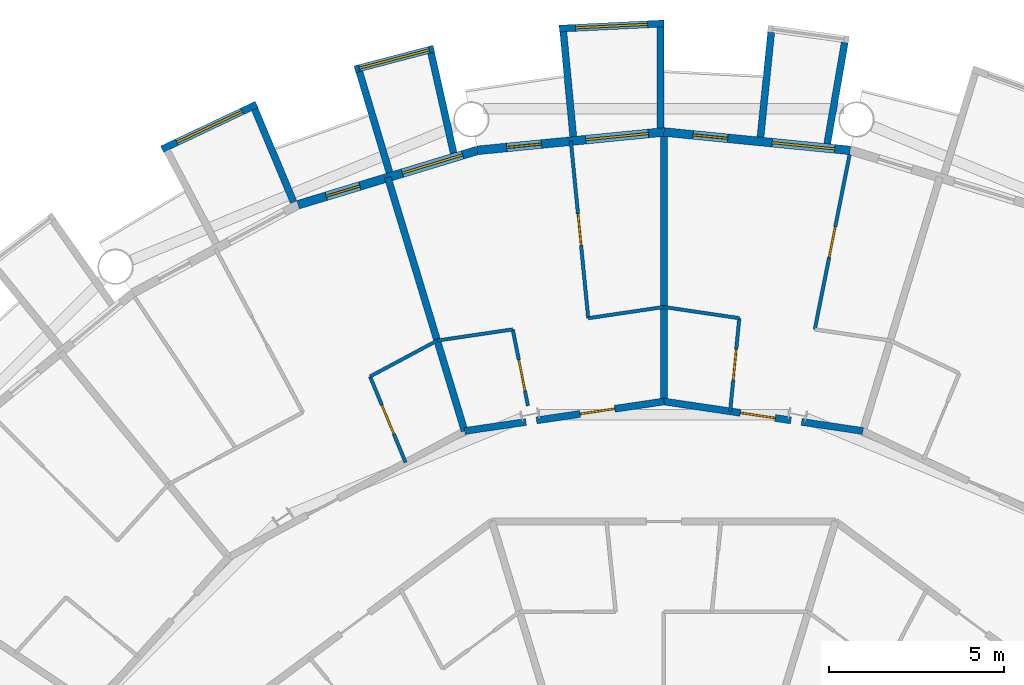
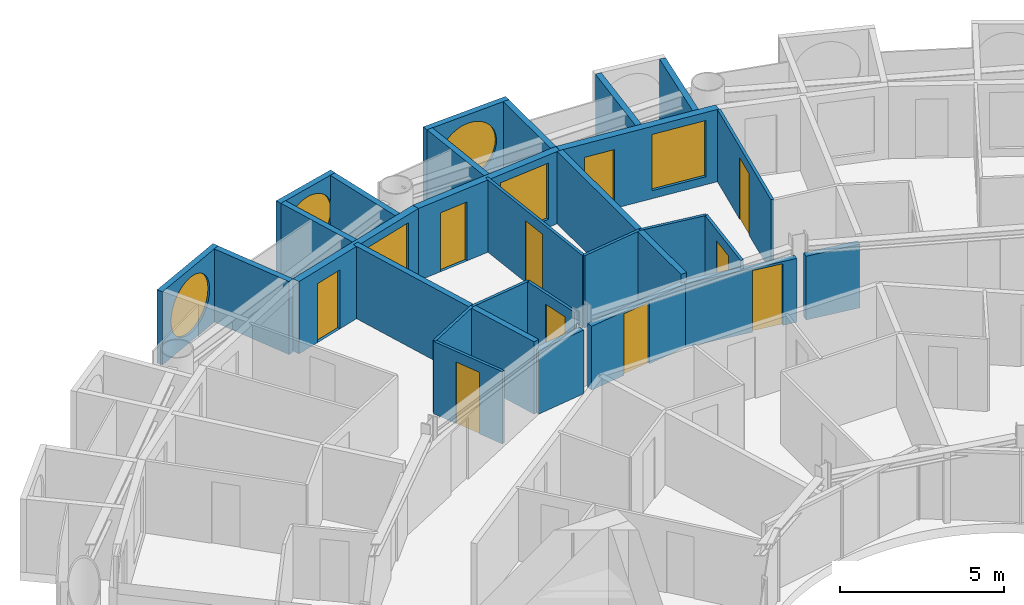
# One storey, part 20 of 26: 28 walls, 10 doors, 6 windows, 16 openings.
"""IFC4 building model written with IfcOpenShell, lengths in metres."""

from ifc_helpers import new_model, si_unit, direction, frame, frame_2d, origin, place, context, subcontext, project, spatial, rectangle, circle, extrude, material, layer, layer_set, type_object, element, fill, save


model = new_model("IFC4")

# Units and contexts
model_context = context("Model", 3, precision=1e-05, world=origin(), true_north=direction((0.0, 1.0)))
body_context = subcontext(model_context, "Body", "Model", "MODEL_VIEW")
ifc_project = project(units=[si_unit("LENGTHUNIT", "METRE"), si_unit("AREAUNIT", "SQUARE_METRE"), si_unit("VOLUMEUNIT", "CUBIC_METRE"), si_unit("PLANEANGLEUNIT", "RADIAN"), si_unit("MASSUNIT", "GRAM", prefix="KILO")], contexts=[model_context])

# Site, building, storey
site_placement = place(None, origin())
site = spatial("IfcSite", under=ifc_project, at=site_placement, CompositionType="ELEMENT")
building_placement = place(site_placement, origin())
building = spatial("IfcBuilding", under=site, at=building_placement, Name="Maasbend Ring Residences", CompositionType="ELEMENT")
storey_placement = place(building_placement, frame((0.0, 0.0, 75.800048828125)))
storey = spatial("IfcBuildingStorey", under=building, at=storey_placement, Name="L21", CompositionType="ELEMENT", Elevation=75.800048828125)

# Wall
ifc_material_1 = material(Name="Concrete C30/37", Category="concrete")
ifc_layer_1 = layer(ifc_material_1, 0.199951171875)
ifc_layer_set_1 = layer_set([ifc_layer_1], Name="Concrete C30/37")
wall_type_1 = type_object("IfcWallType", Name="CORRIDOR WALL 200 CONCRETE", PredefinedType="PARTITIONING", material=ifc_layer_set_1)
wall_1_placement = place(storey_placement, frame((-5.68994140625, 18.756103515625, 0.0), z_axis=(0.0, 0.0, 1.0), x_axis=(0.989265547993, 0.146128968906, 0.0)))
element("IfcWall", 1, at=wall_1_placement, inside=storey, type_object=wall_type_1, Name="U-L21-w110", PredefinedType="PARTITIONING", context=body_context, shape_type="SweptSolid", body=[
    extrude(rectangle(XDim=1.77099609375, YDim=0.199951171875, at=frame_2d((0.885498046875, 0.0))), origin(), (0.0, 0.0, 1.0), 2.3798828125),
])

# Wall, opening, door
wall_2_placement = place(storey_placement, frame((-3.635009765625, 19.06005859375, 0.0), z_axis=(0.0, 0.0, 1.0), x_axis=(0.989179233347, 0.14671211373, 0.0)))
wall_2 = element("IfcWall", 2, at=wall_2_placement, inside=storey, type_object=wall_type_1, Name="U-L21-w111", PredefinedType="PARTITIONING", context=body_context, shape_type="SweptSolid", body=[
    extrude(rectangle(XDim=3.680908203125, YDim=0.199951171875, at=frame_2d((1.84033203125, 0.0))), origin(), (0.0, 0.0, 1.0), 2.3798828125),
])
opening_1_placement = place(wall_2_placement, frame((1.258056640625, 0.0, 0.0)))
opening_1 = element("IfcOpeningElement", 3, at=opening_1_placement, cuts=wall_2, Name="Opening D-2111", PredefinedType="OPENING", context=body_context, shape_type="SweptSolid", body=[
    extrude(rectangle(XDim=1.0, YDim=2.300048828125, at=frame_2d((0.5, 1.14990234375))), frame((0.0, 0.10986328125, 0.0), z_axis=(0.0, -1.0, 0.0), x_axis=(1.0, 0.0, 0.0)), (0.0, 0.0, 1.0), 0.219970703125),
])
ifc_material_2 = material(Name="Timber, fire-rated, painted", Category="wood")
door_type_1 = type_object("IfcDoorType", Name="FLAT ENTRANCE DOOR 1000 X 2300 FIRE-RATED", OperationType="NOTDEFINED", PredefinedType="DOOR", material=ifc_material_2)
door_1_placement = place(opening_1_placement, origin())
door_1 = element("IfcDoor", 4, at=door_1_placement, inside=storey, type_object=door_type_1, Name="D-2111", OperationType="SINGLE_SWING_LEFT", OverallHeight=2.300048828125, OverallWidth=1.0, PredefinedType="DOOR", context=body_context, shape_type="SweptSolid", body=[
    extrude(rectangle(XDim=1.0, YDim=2.300048828125, at=frame_2d((0.5, 1.14990234375))), frame((0.0, 0.02490234375, 0.0), z_axis=(0.0, -1.0, 0.0), x_axis=(1.0, 0.0, 0.0)), (0.0, 0.0, 1.0), 0.050048828125),
])
fill(opening_1, door_1)

wall_3_placement = place(storey_placement, frame((0.0, 19.60009765625, 0.0), z_axis=(0.0, 0.0, 1.0), x_axis=(0.989182049247, -0.146693126787, 0.0)))
wall_3 = element("IfcWall", 5, at=wall_3_placement, inside=storey, type_object=wall_type_1, Name="U-L21-w112", PredefinedType="PARTITIONING", context=body_context, shape_type="SweptSolid", body=[
    extrude(rectangle(XDim=3.6748046875, YDim=0.199951171875, at=frame_2d((1.83740234375, 0.0))), origin(), (0.0, 0.0, 1.0), 2.3798828125),
])
opening_2_placement = place(wall_3_placement, frame((2.216064453125, 0.0, 0.0)))
opening_2 = element("IfcOpeningElement", 6, at=opening_2_placement, cuts=wall_3, Name="Opening D-2108", PredefinedType="OPENING", context=body_context, shape_type="SweptSolid", body=[
    extrude(rectangle(XDim=1.0, YDim=2.300048828125, at=frame_2d((0.5, 1.14990234375))), frame((0.0, 0.10986328125, 0.0), z_axis=(0.0, -1.0, 0.0), x_axis=(1.0, 0.0, 0.0)), (0.0, 0.0, 1.0), 0.219970703125),
])
door_2_placement = place(opening_2_placement, origin())
door_2 = element("IfcDoor", 7, at=door_2_placement, inside=storey, type_object=door_type_1, Name="D-2108", OperationType="SINGLE_SWING_RIGHT", OverallHeight=2.300048828125, OverallWidth=1.0, PredefinedType="DOOR", context=body_context, shape_type="SweptSolid", body=[
    extrude(rectangle(XDim=1.0, YDim=2.300048828125, at=frame_2d((0.5, 1.14990234375))), frame((0.0, 0.02490234375, 0.0), z_axis=(0.0, -1.0, 0.0), x_axis=(1.0, 0.0, 0.0)), (0.0, 0.0, 1.0), 0.050048828125),
])
fill(opening_2, door_2)

# Walls
wall_4_placement = place(storey_placement, frame((3.93896484375, 19.01611328125, 0.0), z_axis=(0.0, 0.0, 1.0), x_axis=(0.989153791914, -0.146883545509, 0.0)))
element("IfcWall", 8, at=wall_4_placement, inside=storey, type_object=wall_type_1, Name="U-L21-w113", PredefinedType="PARTITIONING", context=body_context, shape_type="SweptSolid", body=[
    extrude(rectangle(XDim=1.770263671875, YDim=0.199951171875, at=frame_2d((0.88525390625, 0.0))), origin(), (0.0, 0.0, 1.0), 2.3798828125),
])
ifc_material_3 = material(Name="Pale anodised aluminium panel", Category="aluminium")
ifc_layer_2 = layer(ifc_material_3, 0.199951171875)
ifc_layer_set_2 = layer_set([ifc_layer_2], Name="EW-BOX")
wall_type_2 = type_object("IfcWallType", Name="EW-BOX", PredefinedType="SOLIDWALL", material=ifc_layer_set_2)
wall_5_placement = place(storey_placement, frame((4.6708984375, 26.966064453125, -0.030029296875), z_axis=(0.0, 0.0, 1.0), x_axis=(0.170539878907, 0.985350774954, 0.0)))
element("IfcWall", 9, at=wall_5_placement, inside=storey, type_object=wall_type_2, Name="Box side wall N09 left", PredefinedType="SOLIDWALL", context=body_context, shape_type="SweptSolid", body=[
    extrude(rectangle(XDim=2.931884765625, YDim=0.199951171875, at=frame_2d((1.4658203125, 0.0))), origin(), (0.0, 0.0, 1.0), 2.72998046875),
])
wall_6_placement = place(storey_placement, frame((2.763916015625, 27.153076171875, -0.030029296875), z_axis=(0.0, 0.0, 1.0), x_axis=(0.101505487237, 0.994834979311, 0.0)))
element("IfcWall", 10, at=wall_6_placement, inside=storey, type_object=wall_type_2, Name="Box side wall N09 right", PredefinedType="SOLIDWALL", context=body_context, shape_type="SweptSolid", body=[
    extrude(rectangle(XDim=3.006591796875, YDim=0.199951171875, at=frame_2d((1.50341796875, 0.0))), origin(), (0.0, 0.0, 1.0), 2.72998046875),
])

# Wall, opening, window
wall_7_placement = place(storey_placement, frame((0.0048828125, 30.39990234375, -0.030029296875), z_axis=(0.0, 0.0, 1.0), x_axis=(-0.998794083011, -0.049095618353, 0.0)))
wall_7 = element("IfcWall", 11, at=wall_7_placement, inside=storey, type_object=wall_type_2, Name="Box front N11", PredefinedType="SOLIDWALL", context=body_context, shape_type="SweptSolid", body=[
    extrude(rectangle(XDim=2.99365234375, YDim=0.199951171875, at=frame_2d((1.496826171875, 0.0))), origin(), (0.0, 0.0, 1.0), 2.72998046875),
])
opening_3_placement = place(wall_7_placement, frame((0.45654296875, 0.0, 0.330078125)))
opening_3 = element("IfcOpeningElement", 12, at=opening_3_placement, cuts=wall_7, Name="Opening W-RD", PredefinedType="OPENING", context=body_context, shape_type="SweptSolid", body=[
    extrude(circle(Radius=1.0400390625, at=frame_2d((1.0400390625, 1.0400390625))), frame((0.0, 0.10986328125, 0.0), z_axis=(0.0, -1.0, 0.0), x_axis=(1.0, 0.0, 0.0)), (0.0, 0.0, 1.0), 0.219970703125),
])
ifc_material_4 = material(Name="Aluminium and clear glass", Category="aluminium")
window_type_1 = type_object("IfcWindowType", Name="W-RD", PartitioningType="SINGLE_PANEL", PredefinedType="WINDOW", material=ifc_material_4)
window_1_placement = place(opening_3_placement, origin())
window_1 = element("IfcWindow", 13, at=window_1_placement, inside=storey, type_object=window_type_1, Name="Round window N11", OverallHeight=2.080078125, OverallWidth=2.080078125, PartitioningType="SINGLE_PANEL", PredefinedType="WINDOW", context=body_context, shape_type="SweptSolid", body=[
    extrude(circle(Radius=1.0400390625, at=frame_2d((1.0400390625, 1.0400390625))), frame((0.0, 0.030029296875, 0.0), z_axis=(0.0, -1.0, 0.0), x_axis=(1.0, 0.0, 0.0)), (0.0, 0.0, 1.0), 0.06005859375),
])
fill(opening_3, window_1)

# Walls
wall_8_placement = place(storey_placement, frame((-0.090087890625, 27.4169921875, -0.030029296875), z_axis=(0.0, 0.0, 1.0), x_axis=(-0.00347308367, 0.999993968827, 0.0)))
element("IfcWall", 14, at=wall_8_placement, inside=storey, type_object=wall_type_2, Name="Box side wall N11 left", PredefinedType="SOLIDWALL", context=body_context, shape_type="SweptSolid", body=[
    extrude(rectangle(XDim=2.882080078125, YDim=0.199951171875, at=frame_2d((1.44091796875, 0.0))), origin(), (0.0, 0.0, 1.0), 2.72998046875),
])
wall_9_placement = place(storey_placement, frame((-2.5859375, 27.1708984375, -0.030029296875), z_axis=(0.0, 0.0, 1.0), x_axis=(-0.094548432284, 0.995520262954, 0.0)))
element("IfcWall", 15, at=wall_9_placement, inside=storey, type_object=wall_type_2, Name="Box side wall N11 right", PredefinedType="SOLIDWALL", context=body_context, shape_type="SweptSolid", body=[
    extrude(rectangle(XDim=3.005615234375, YDim=0.199951171875, at=frame_2d((1.5029296875, 0.0))), origin(), (0.0, 0.0, 1.0), 2.72998046875),
])

# Wall, opening, window
wall_10_placement = place(storey_placement, frame((-6.568115234375, 29.681884765625, -0.030029296875), z_axis=(0.0, 0.0, 1.0), x_axis=(-0.967377102346, -0.253340762326, 0.0)))
wall_10 = element("IfcWall", 16, at=wall_10_placement, inside=storey, type_object=wall_type_2, Name="Box front N13", PredefinedType="SOLIDWALL", context=body_context, shape_type="SweptSolid", body=[
    extrude(rectangle(XDim=2.3359375, YDim=0.199951171875, at=frame_2d((1.16796875, 0.0))), origin(), (0.0, 0.0, 1.0), 2.72998046875),
])
opening_4_placement = place(wall_10_placement, frame((0.128173828125, 0.0, 0.330078125)))
opening_4 = element("IfcOpeningElement", 17, at=opening_4_placement, cuts=wall_10, Name="Opening W-RD", PredefinedType="OPENING", context=body_context, shape_type="SweptSolid", body=[
    extrude(circle(Radius=1.0400390625, at=frame_2d((1.0400390625, 1.0400390625))), frame((0.0, 0.10986328125, 0.0), z_axis=(0.0, -1.0, 0.0), x_axis=(1.0, 0.0, 0.0)), (0.0, 0.0, 1.0), 0.219970703125),
])
window_2_placement = place(opening_4_placement, origin())
window_2 = element("IfcWindow", 18, at=window_2_placement, inside=storey, type_object=window_type_1, Name="Round window N13", OverallHeight=2.080078125, OverallWidth=2.080078125, PartitioningType="SINGLE_PANEL", PredefinedType="WINDOW", context=body_context, shape_type="SweptSolid", body=[
    extrude(circle(Radius=1.0400390625, at=frame_2d((1.0400390625, 1.0400390625))), frame((0.0, 0.030029296875, 0.0), z_axis=(0.0, -1.0, 0.0), x_axis=(1.0, 0.0, 0.0)), (0.0, 0.0, 1.0), 0.06005859375),
])
fill(opening_4, window_2)

# Walls
wall_11_placement = place(storey_placement, frame((-6.00390625, 26.699951171875, -0.030029296875), z_axis=(0.0, 0.0, 1.0), x_axis=(-0.219609259383, 0.975587911566, 0.0)))
element("IfcWall", 19, at=wall_11_placement, inside=storey, type_object=wall_type_2, Name="Box side wall N13 left", PredefinedType="SOLIDWALL", context=body_context, shape_type="SweptSolid", body=[
    extrude(rectangle(XDim=2.9326171875, YDim=0.199951171875, at=frame_2d((1.46630859375, 0.0))), origin(), (0.0, 0.0, 1.0), 2.72998046875),
])
wall_12_placement = place(storey_placement, frame((-7.8369140625, 26.14404296875, -0.030029296875), z_axis=(0.0, 0.0, 1.0), x_axis=(-0.287064767992, 0.957911174889, 0.0)))
element("IfcWall", 20, at=wall_12_placement, inside=storey, type_object=wall_type_2, Name="Box side wall N13 right", PredefinedType="SOLIDWALL", context=body_context, shape_type="SweptSolid", body=[
    extrude(rectangle(XDim=3.00634765625, YDim=0.199951171875, at=frame_2d((1.503173828125, 0.0))), origin(), (0.0, 0.0, 1.0), 2.72998046875),
])

# Wall, opening, window
wall_13_placement = place(storey_placement, frame((-11.62890625, 28.087890625, -0.030029296875), z_axis=(0.0, 0.0, 1.0), x_axis=(-0.904000060331, -0.427532327342, 0.0)))
wall_13 = element("IfcWall", 21, at=wall_13_placement, inside=storey, type_object=wall_type_2, Name="Box front N15", PredefinedType="SOLIDWALL", context=body_context, shape_type="SweptSolid", body=[
    extrude(rectangle(XDim=2.993408203125, YDim=0.199951171875, at=frame_2d((1.49658203125, 0.0))), origin(), (0.0, 0.0, 1.0), 2.72998046875),
])
opening_5_placement = place(wall_13_placement, frame((0.45654296875, 0.0, 0.330078125)))
opening_5 = element("IfcOpeningElement", 22, at=opening_5_placement, cuts=wall_13, Name="Opening W-RD", PredefinedType="OPENING", context=body_context, shape_type="SweptSolid", body=[
    extrude(circle(Radius=1.0400390625, at=frame_2d((1.0400390625, 1.0400390625))), frame((0.0, 0.10986328125, 0.0), z_axis=(0.0, -1.0, 0.0), x_axis=(1.0, 0.0, 0.0)), (0.0, 0.0, 1.0), 0.219970703125),
])
window_3_placement = place(opening_5_placement, origin())
window_3 = element("IfcWindow", 23, at=window_3_placement, inside=storey, type_object=window_type_1, Name="Round window N15", OverallHeight=2.080078125, OverallWidth=2.080078125, PartitioningType="SINGLE_PANEL", PredefinedType="WINDOW", context=body_context, shape_type="SweptSolid", body=[
    extrude(circle(Radius=1.0400390625, at=frame_2d((1.0400390625, 1.0400390625))), frame((0.0, 0.030029296875, 0.0), z_axis=(0.0, -1.0, 0.0), x_axis=(1.0, 0.0, 0.0)), (0.0, 0.0, 1.0), 0.06005859375),
])
fill(opening_5, window_3)

# Wall
wall_14_placement = place(storey_placement, frame((-10.574951171875, 25.294921875, -0.030029296875), z_axis=(0.0, 0.0, 1.0), x_axis=(-0.385697364644, 0.922625353492, 0.0)))
element("IfcWall", 24, at=wall_14_placement, inside=storey, type_object=wall_type_2, Name="Box side wall N15 left", PredefinedType="SOLIDWALL", context=body_context, shape_type="SweptSolid", body=[
    extrude(rectangle(XDim=2.88330078125, YDim=0.199951171875, at=frame_2d((1.441650390625, 0.0))), origin(), (0.0, 0.0, 1.0), 2.72998046875),
])

# Wall, openings, door, window
ifc_material_5 = material(Name="Aluminium clad insulated panel", Category="aluminium")
ifc_layer_3 = layer(ifc_material_5, 0.25)
ifc_layer_set_3 = layer_set([ifc_layer_3], Name="EW-GL")
wall_type_3 = type_object("IfcWallType", Name="EW-GL", PredefinedType="SOLIDWALL", material=ifc_layer_set_3)
wall_15_placement = place(storey_placement, frame((5.325927734375, 26.77490234375, 0.0), z_axis=(0.0, 0.0, 1.0), x_axis=(-0.995173996315, 0.098126026407, 0.0)))
wall_15 = element("IfcWall", 25, at=wall_15_placement, inside=storey, type_object=wall_type_3, Name="External wall N05", PredefinedType="SOLIDWALL", context=body_context, shape_type="SweptSolid", body=[
    extrude(rectangle(XDim=5.351806640625, YDim=0.25, at=frame_2d((2.67578125, 0.0))), origin(), (0.0, 0.0, 1.0), 2.699951171875),
])
opening_6_placement = place(wall_15_placement, frame((0.441162109375, 0.0, 0.300048828125)))
opening_6 = element("IfcOpeningElement", 26, at=opening_6_placement, cuts=wall_15, Name="Opening W-BX", PredefinedType="OPENING", context=body_context, shape_type="SweptSolid", body=[
    extrude(rectangle(XDim=1.800048828125, YDim=2.10009765625, at=frame_2d((0.89990234375, 1.050048828125))), frame((0.0, 0.135009765625, 0.0), z_axis=(0.0, -1.0, 0.0), x_axis=(1.0, 0.0, 0.0)), (0.0, 0.0, 1.0), 0.27001953125),
])
opening_7_placement = place(wall_15_placement, frame((3.510498046875, 0.0, 0.0)))
opening_7 = element("IfcOpeningElement", 27, at=opening_7_placement, cuts=wall_15, Name="Opening D-LG", PredefinedType="OPENING", context=body_context, shape_type="SweptSolid", body=[
    extrude(rectangle(XDim=1.0, YDim=2.199951171875, at=frame_2d((0.5, 1.10009765625))), frame((0.0, 0.135009765625, 0.0), z_axis=(0.0, -1.0, 0.0), x_axis=(1.0, 0.0, 0.0)), (0.0, 0.0, 1.0), 0.27001953125),
])
ifc_material_6 = material(Name="Aluminium and clear glass", Category="aluminium")
door_type_2 = type_object("IfcDoorType", Name="D-LG", OperationType="SINGLE_SWING_LEFT", PredefinedType="DOOR", material=ifc_material_6)
door_3_placement = place(opening_7_placement, origin())
door_3 = element("IfcDoor", 28, at=door_3_placement, inside=storey, type_object=door_type_2, Name="Loggia door N10", OperationType="SINGLE_SWING_LEFT", OverallHeight=2.199951171875, OverallWidth=1.0, PredefinedType="DOOR", context=body_context, shape_type="SweptSolid", body=[
    extrude(rectangle(XDim=1.0, YDim=2.199951171875, at=frame_2d((0.5, 1.10009765625))), frame((0.0, 0.02490234375, 0.0), z_axis=(0.0, -1.0, 0.0), x_axis=(1.0, 0.0, 0.0)), (0.0, 0.0, 1.0), 0.050048828125),
])
fill(opening_7, door_3)
ifc_material_7 = material(Name="Aluminium and clear glass", Category="aluminium")
window_type_2 = type_object("IfcWindowType", Name="W-BX", PartitioningType="DOUBLE_PANEL_VERTICAL", PredefinedType="WINDOW", material=ifc_material_7)
window_4_placement = place(opening_6_placement, origin())
window_4 = element("IfcWindow", 29, at=window_4_placement, inside=storey, type_object=window_type_2, Name="Window N09 room to box", OverallHeight=2.10009765625, OverallWidth=1.800048828125, PartitioningType="SINGLE_PANEL", PredefinedType="WINDOW", context=body_context, shape_type="SweptSolid", body=[
    extrude(rectangle(XDim=1.800048828125, YDim=2.10009765625, at=frame_2d((0.89990234375, 1.050048828125))), frame((0.0, 0.030029296875, 0.0), z_axis=(0.0, -1.0, 0.0), x_axis=(1.0, 0.0, 0.0)), (0.0, 0.0, 1.0), 0.06005859375),
])
fill(opening_6, window_4)

wall_16_placement = place(storey_placement, frame((0.0, 27.300048828125, 0.0), z_axis=(0.0, 0.0, 1.0), x_axis=(-0.995173996315, -0.098126026407, 0.0)))
wall_16 = element("IfcWall", 30, at=wall_16_placement, inside=storey, type_object=wall_type_3, Name="External wall N06", PredefinedType="SOLIDWALL", context=body_context, shape_type="SweptSolid", body=[
    extrude(rectangle(XDim=5.351806640625, YDim=0.25, at=frame_2d((2.67578125, 0.0))), origin(), (0.0, 0.0, 1.0), 2.699951171875),
])
opening_8_placement = place(wall_16_placement, frame((0.441162109375, 0.0, 0.300048828125)))
opening_8 = element("IfcOpeningElement", 31, at=opening_8_placement, cuts=wall_16, Name="Opening W-BX", PredefinedType="OPENING", context=body_context, shape_type="SweptSolid", body=[
    extrude(rectangle(XDim=1.800048828125, YDim=2.10009765625, at=frame_2d((0.89990234375, 1.050048828125))), frame((0.0, 0.135009765625, 0.0), z_axis=(0.0, -1.0, 0.0), x_axis=(1.0, 0.0, 0.0)), (0.0, 0.0, 1.0), 0.27001953125),
])
opening_9_placement = place(wall_16_placement, frame((3.510498046875, 0.0, 0.0)))
opening_9 = element("IfcOpeningElement", 32, at=opening_9_placement, cuts=wall_16, Name="Opening D-LG", PredefinedType="OPENING", context=body_context, shape_type="SweptSolid", body=[
    extrude(rectangle(XDim=1.0, YDim=2.199951171875, at=frame_2d((0.5, 1.10009765625))), frame((0.0, 0.135009765625, 0.0), z_axis=(0.0, -1.0, 0.0), x_axis=(1.0, 0.0, 0.0)), (0.0, 0.0, 1.0), 0.27001953125),
])
door_4_placement = place(opening_9_placement, origin())
door_4 = element("IfcDoor", 33, at=door_4_placement, inside=storey, type_object=door_type_2, Name="Loggia door N12", OperationType="SINGLE_SWING_LEFT", OverallHeight=2.199951171875, OverallWidth=1.0, PredefinedType="DOOR", context=body_context, shape_type="SweptSolid", body=[
    extrude(rectangle(XDim=1.0, YDim=2.199951171875, at=frame_2d((0.5, 1.10009765625))), frame((0.0, 0.02490234375, 0.0), z_axis=(0.0, -1.0, 0.0), x_axis=(1.0, 0.0, 0.0)), (0.0, 0.0, 1.0), 0.050048828125),
])
fill(opening_9, door_4)
window_5_placement = place(opening_8_placement, origin())
window_5 = element("IfcWindow", 34, at=window_5_placement, inside=storey, type_object=window_type_2, Name="Window N11 room to box", OverallHeight=2.10009765625, OverallWidth=1.800048828125, PartitioningType="SINGLE_PANEL", PredefinedType="WINDOW", context=body_context, shape_type="SweptSolid", body=[
    extrude(rectangle(XDim=1.800048828125, YDim=2.10009765625, at=frame_2d((0.89990234375, 1.050048828125))), frame((0.0, 0.030029296875, 0.0), z_axis=(0.0, -1.0, 0.0), x_axis=(1.0, 0.0, 0.0)), (0.0, 0.0, 1.0), 0.06005859375),
])
fill(opening_8, window_5)

wall_17_placement = place(storey_placement, frame((-5.325927734375, 26.77490234375, 0.0), z_axis=(0.0, 0.0, 1.0), x_axis=(-0.956965678721, -0.290201119486, 0.0)))
wall_17 = element("IfcWall", 35, at=wall_17_placement, inside=storey, type_object=wall_type_3, Name="External wall N07", PredefinedType="SOLIDWALL", context=body_context, shape_type="SweptSolid", body=[
    extrude(rectangle(XDim=5.351318359375, YDim=0.25, at=frame_2d((2.67578125, 0.0))), origin(), (0.0, 0.0, 1.0), 2.699951171875),
])
opening_10_placement = place(wall_17_placement, frame((0.441162109375, 0.0, 0.300048828125)))
opening_10 = element("IfcOpeningElement", 36, at=opening_10_placement, cuts=wall_17, Name="Opening W-BX", PredefinedType="OPENING", context=body_context, shape_type="SweptSolid", body=[
    extrude(rectangle(XDim=1.800048828125, YDim=2.10009765625, at=frame_2d((0.89990234375, 1.050048828125))), frame((0.0, 0.135009765625, 0.0), z_axis=(0.0, -1.0, 0.0), x_axis=(1.0, 0.0, 0.0)), (0.0, 0.0, 1.0), 0.27001953125),
])
opening_11_placement = place(wall_17_placement, frame((3.510498046875, 0.0, 0.0)))
opening_11 = element("IfcOpeningElement", 37, at=opening_11_placement, cuts=wall_17, Name="Opening D-LG", PredefinedType="OPENING", context=body_context, shape_type="SweptSolid", body=[
    extrude(rectangle(XDim=1.0, YDim=2.199951171875, at=frame_2d((0.5, 1.10009765625))), frame((0.0, 0.135009765625, 0.0), z_axis=(0.0, -1.0, 0.0), x_axis=(1.0, 0.0, 0.0)), (0.0, 0.0, 1.0), 0.27001953125),
])
door_5_placement = place(opening_11_placement, origin())
door_5 = element("IfcDoor", 38, at=door_5_placement, inside=storey, type_object=door_type_2, Name="Loggia door N14", OperationType="SINGLE_SWING_LEFT", OverallHeight=2.199951171875, OverallWidth=1.0, PredefinedType="DOOR", context=body_context, shape_type="SweptSolid", body=[
    extrude(rectangle(XDim=1.0, YDim=2.199951171875, at=frame_2d((0.5, 1.10009765625))), frame((0.0, 0.02490234375, 0.0), z_axis=(0.0, -1.0, 0.0), x_axis=(1.0, 0.0, 0.0)), (0.0, 0.0, 1.0), 0.050048828125),
])
fill(opening_11, door_5)
window_6_placement = place(opening_10_placement, origin())
window_6 = element("IfcWindow", 39, at=window_6_placement, inside=storey, type_object=window_type_2, Name="Window N13 room to box", OverallHeight=2.10009765625, OverallWidth=1.800048828125, PartitioningType="SINGLE_PANEL", PredefinedType="WINDOW", context=body_context, shape_type="SweptSolid", body=[
    extrude(rectangle(XDim=1.800048828125, YDim=2.10009765625, at=frame_2d((0.89990234375, 1.050048828125))), frame((0.0, 0.030029296875, 0.0), z_axis=(0.0, -1.0, 0.0), x_axis=(1.0, 0.0, 0.0)), (0.0, 0.0, 1.0), 0.06005859375),
])
fill(opening_10, window_6)

# Wall, opening, door
ifc_material_8 = material(Name="Gypsum board on steel studs", Category="steel")
ifc_layer_4 = layer(ifc_material_8, 0.10009765625)
ifc_layer_set_4 = layer_set([ifc_layer_4], Name="PARTITION 100 GYPSUM")
wall_type_4 = type_object("IfcWallType", Name="PARTITION 100 GYPSUM", PredefinedType="PARTITIONING", material=ifc_layer_set_4)
wall_18_placement = place(storey_placement, frame((-8.39208984375, 20.31396484375, 0.0), z_axis=(0.0, 0.0, 1.0), x_axis=(0.38190329031, -0.924202292169, 0.0)))
wall_18 = element("IfcWall", 40, at=wall_18_placement, inside=storey, type_object=wall_type_4, Name="U-L21-w053", PredefinedType="PARTITIONING", context=body_context, shape_type="SweptSolid", body=[
    extrude(rectangle(XDim=2.66064453125, YDim=0.10009765625, at=frame_2d((1.330322265625, 0.0))), origin(), (0.0, 0.0, 1.0), 2.699951171875),
])
opening_12_placement = place(wall_18_placement, frame((0.8798828125, 0.0, 0.0)))
opening_12 = element("IfcOpeningElement", 41, at=opening_12_placement, cuts=wall_18, Name="Opening D-2115", PredefinedType="OPENING", context=body_context, shape_type="SweptSolid", body=[
    extrude(rectangle(XDim=0.89990234375, YDim=2.300048828125, at=frame_2d((0.449951171875, 1.14990234375))), frame((0.0, 0.06005859375, 0.0), z_axis=(0.0, -1.0, 0.0), x_axis=(1.0, 0.0, 0.0)), (0.0, 0.0, 1.0), 0.1201171875),
])
ifc_material_9 = material(Name="Timber, painted", Category="wood")
door_type_3 = type_object("IfcDoorType", Name="INTERNAL DOOR 900 X 2300", OperationType="NOTDEFINED", PredefinedType="DOOR", material=ifc_material_9)
door_6_placement = place(opening_12_placement, origin())
door_6 = element("IfcDoor", 42, at=door_6_placement, inside=storey, type_object=door_type_3, Name="D-2115", OperationType="SINGLE_SWING_RIGHT", OverallHeight=2.300048828125, OverallWidth=0.89990234375, PredefinedType="DOOR", context=body_context, shape_type="SweptSolid", body=[
    extrude(rectangle(XDim=0.89990234375, YDim=2.300048828125, at=frame_2d((0.449951171875, 1.14990234375))), frame((0.0, 0.02490234375, 0.0), z_axis=(0.0, -1.0, 0.0), x_axis=(1.0, 0.0, 0.0)), (0.0, 0.0, 1.0), 0.050048828125),
])
fill(opening_12, door_6)

wall_19_placement = place(storey_placement, frame((-4.31591796875, 21.659912109375, 0.0), z_axis=(0.0, 0.0, 1.0), x_axis=(0.195524955938, -0.980698726218, 0.0)))
wall_19 = element("IfcWall", 43, at=wall_19_placement, inside=storey, type_object=wall_type_4, Name="U-L21-w059", PredefinedType="PARTITIONING", context=body_context, shape_type="SweptSolid", body=[
    extrude(rectangle(XDim=2.223876953125, YDim=0.10009765625, at=frame_2d((1.11181640625, 0.0))), origin(), (0.0, 0.0, 1.0), 2.699951171875),
])
opening_13_placement = place(wall_19_placement, frame((0.886962890625, 0.0, 0.0)))
opening_13 = element("IfcOpeningElement", 44, at=opening_13_placement, cuts=wall_19, Name="Opening D-2112", PredefinedType="OPENING", context=body_context, shape_type="SweptSolid", body=[
    extrude(rectangle(XDim=0.89990234375, YDim=2.300048828125, at=frame_2d((0.449951171875, 1.14990234375))), frame((0.0, 0.06005859375, 0.0), z_axis=(0.0, -1.0, 0.0), x_axis=(1.0, 0.0, 0.0)), (0.0, 0.0, 1.0), 0.1201171875),
])
door_7_placement = place(opening_13_placement, origin())
door_7 = element("IfcDoor", 45, at=door_7_placement, inside=storey, type_object=door_type_3, Name="D-2112", OperationType="SINGLE_SWING_RIGHT", OverallHeight=2.300048828125, OverallWidth=0.89990234375, PredefinedType="DOOR", context=body_context, shape_type="SweptSolid", body=[
    extrude(rectangle(XDim=0.89990234375, YDim=2.300048828125, at=frame_2d((0.449951171875, 1.14990234375))), frame((0.0, 0.02490234375, 0.0), z_axis=(0.0, -1.0, 0.0), x_axis=(1.0, 0.0, 0.0)), (0.0, 0.0, 1.0), 0.050048828125),
])
fill(opening_13, door_7)

wall_20_placement = place(storey_placement, frame((-2.655029296875, 27.044921875, 0.0), z_axis=(0.0, 0.0, 1.0), x_axis=(0.097670180016, -0.995218838214, 0.0)))
wall_20 = element("IfcWall", 46, at=wall_20_placement, inside=storey, type_object=wall_type_4, Name="U-L21-w061", PredefinedType="PARTITIONING", context=body_context, shape_type="SweptSolid", body=[
    extrude(rectangle(XDim=5.08935546875, YDim=0.10009765625, at=frame_2d((2.544677734375, 0.0))), origin(), (0.0, 0.0, 1.0), 2.699951171875),
])
opening_14_placement = place(wall_20_placement, frame((2.094970703125, 0.0, 0.0)))
opening_14 = element("IfcOpeningElement", 47, at=opening_14_placement, cuts=wall_20, Name="Opening D-2113", PredefinedType="OPENING", context=body_context, shape_type="SweptSolid", body=[
    extrude(rectangle(XDim=0.89990234375, YDim=2.300048828125, at=frame_2d((0.449951171875, 1.14990234375))), frame((0.0, 0.06005859375, 0.0), z_axis=(0.0, -1.0, 0.0), x_axis=(1.0, 0.0, 0.0)), (0.0, 0.0, 1.0), 0.1201171875),
])
door_8_placement = place(opening_14_placement, origin())
door_8 = element("IfcDoor", 48, at=door_8_placement, inside=storey, type_object=door_type_3, Name="D-2113", OperationType="SINGLE_SWING_RIGHT", OverallHeight=2.300048828125, OverallWidth=0.89990234375, PredefinedType="DOOR", context=body_context, shape_type="SweptSolid", body=[
    extrude(rectangle(XDim=0.89990234375, YDim=2.300048828125, at=frame_2d((0.449951171875, 1.14990234375))), frame((0.0, 0.02490234375, 0.0), z_axis=(0.0, -1.0, 0.0), x_axis=(1.0, 0.0, 0.0)), (0.0, 0.0, 1.0), 0.050048828125),
])
fill(opening_14, door_8)

wall_21_placement = place(storey_placement, frame((1.89697265625, 19.319091796875, 0.0), z_axis=(0.0, 0.0, 1.0), x_axis=(0.097613985845, 0.995224351474, 0.0)))
wall_21 = element("IfcWall", 49, at=wall_21_placement, inside=storey, type_object=wall_type_4, Name="U-L21-w070", PredefinedType="PARTITIONING", context=body_context, shape_type="SweptSolid", body=[
    extrude(rectangle(XDim=2.673583984375, YDim=0.10009765625, at=frame_2d((1.3369140625, 0.0))), origin(), (0.0, 0.0, 1.0), 2.699951171875),
])
opening_15_placement = place(wall_21_placement, frame((0.886962890625, 0.0, 0.0)))
opening_15 = element("IfcOpeningElement", 50, at=opening_15_placement, cuts=wall_21, Name="Opening D-2109", PredefinedType="OPENING", context=body_context, shape_type="SweptSolid", body=[
    extrude(rectangle(XDim=0.89990234375, YDim=2.300048828125, at=frame_2d((0.449951171875, 1.14990234375))), frame((0.0, 0.06005859375, 0.0), z_axis=(0.0, -1.0, 0.0), x_axis=(1.0, 0.0, 0.0)), (0.0, 0.0, 1.0), 0.1201171875),
])
door_9_placement = place(opening_15_placement, origin())
door_9 = element("IfcDoor", 51, at=door_9_placement, inside=storey, type_object=door_type_3, Name="D-2109", OperationType="SINGLE_SWING_RIGHT", OverallHeight=2.300048828125, OverallWidth=0.89990234375, PredefinedType="DOOR", context=body_context, shape_type="SweptSolid", body=[
    extrude(rectangle(XDim=0.89990234375, YDim=2.300048828125, at=frame_2d((0.449951171875, 1.14990234375))), frame((0.0, 0.02490234375, 0.0), z_axis=(0.0, -1.0, 0.0), x_axis=(1.0, 0.0, 0.0)), (0.0, 0.0, 1.0), 0.050048828125),
])
fill(opening_15, door_9)

wall_22_placement = place(storey_placement, frame((4.31591796875, 21.659912109375, 0.0), z_axis=(0.0, 0.0, 1.0), x_axis=(0.195350335681, 0.980733524638, 0.0)))
wall_22 = element("IfcWall", 52, at=wall_22_placement, inside=storey, type_object=wall_type_4, Name="U-L21-w074", PredefinedType="PARTITIONING", context=body_context, shape_type="SweptSolid", body=[
    extrude(rectangle(XDim=5.089111328125, YDim=0.10009765625, at=frame_2d((2.54443359375, 0.0))), origin(), (0.0, 0.0, 1.0), 2.699951171875),
])
opening_16_placement = place(wall_22_placement, frame((2.094970703125, 0.0, 0.0)))
opening_16 = element("IfcOpeningElement", 53, at=opening_16_placement, cuts=wall_22, Name="Opening D-2110", PredefinedType="OPENING", context=body_context, shape_type="SweptSolid", body=[
    extrude(rectangle(XDim=0.89990234375, YDim=2.300048828125, at=frame_2d((0.449951171875, 1.14990234375))), frame((0.0, 0.06005859375, 0.0), z_axis=(0.0, -1.0, 0.0), x_axis=(1.0, 0.0, 0.0)), (0.0, 0.0, 1.0), 0.1201171875),
])
door_10_placement = place(opening_16_placement, origin())
door_10 = element("IfcDoor", 54, at=door_10_placement, inside=storey, type_object=door_type_3, Name="D-2110", OperationType="SINGLE_SWING_RIGHT", OverallHeight=2.300048828125, OverallWidth=0.89990234375, PredefinedType="DOOR", context=body_context, shape_type="SweptSolid", body=[
    extrude(rectangle(XDim=0.89990234375, YDim=2.300048828125, at=frame_2d((0.449951171875, 1.14990234375))), frame((0.0, 0.02490234375, 0.0), z_axis=(0.0, -1.0, 0.0), x_axis=(1.0, 0.0, 0.0)), (0.0, 0.0, 1.0), 0.050048828125),
])
fill(opening_16, door_10)

# Walls
wall_23_placement = place(storey_placement, frame((-8.39208984375, 20.31396484375, 0.0), z_axis=(0.0, 0.0, 1.0), x_axis=(0.881864921102, 0.471502132476, 0.0)))
element("IfcWall", 55, at=wall_23_placement, inside=storey, type_object=wall_type_4, Name="U-L21-w118", PredefinedType="PARTITIONING", context=body_context, shape_type="SweptSolid", body=[
    extrude(rectangle(XDim=2.17626953125, YDim=0.10009765625, at=frame_2d((1.088134765625, 0.0))), origin(), (0.0, 0.0, 1.0), 2.699951171875),
])
wall_24_placement = place(storey_placement, frame((-6.471923828125, 21.340087890625, 0.0), z_axis=(0.0, 0.0, 1.0), x_axis=(0.989185420695, 0.146670390618, 0.0)))
element("IfcWall", 56, at=wall_24_placement, inside=storey, type_object=wall_type_4, Name="U-L21-w123", PredefinedType="PARTITIONING", context=body_context, shape_type="SweptSolid", body=[
    extrude(rectangle(XDim=2.1806640625, YDim=0.10009765625, at=frame_2d((1.09033203125, 0.0))), origin(), (0.0, 0.0, 1.0), 2.699951171875),
])
for number, where, z_axis, x_axis, name in (
    (57, (-2.157958984375, 21.97998046875, 0.0), (0.0, 0.0, 1.0), (0.989178812998, 0.146714947827, 0.0), "U-L21-w124"),
    (58, (0.0, 22.300048828125, 0.0), (0.0, 0.0, 1.0), (0.989178812998, -0.146714947827, 0.0), "U-L21-w125"),
):
    element("IfcWall", number, at=place(storey_placement, frame(where, z_axis=z_axis, x_axis=x_axis)), inside=storey, type_object=wall_type_4, Name=name, PredefinedType="PARTITIONING", context=body_context, shape_type="SweptSolid", body=[
        extrude(rectangle(XDim=2.181640625, YDim=0.10009765625, at=frame_2d((1.0908203125, 0.0))), origin(), (0.0, 0.0, 1.0), 2.699951171875),
    ])
ifc_material_10 = material(Name="Concrete C30/37", Category="concrete")
ifc_layer_5 = layer(ifc_material_10, 0.199951171875)
ifc_layer_set_5 = layer_set([ifc_layer_5], Name="Concrete C30/37")
wall_type_5 = type_object("IfcWallType", Name="PARTY WALL 200 CONCRETE", PredefinedType="PARTITIONING", material=ifc_layer_set_5)
wall_25_placement = place(storey_placement, frame((-7.886962890625, 26.0048828125, 0.0), z_axis=(0.0, 0.0, 1.0), x_axis=(0.29005838641, -0.957008951094, 0.0)))
element("IfcWall", 59, at=wall_25_placement, inside=storey, type_object=wall_type_5, Name="U-L21-w033", PredefinedType="PARTITIONING", context=body_context, shape_type="SweptSolid", body=[
    extrude(rectangle(XDim=7.574462890625, YDim=0.199951171875, at=frame_2d((3.787109375, 0.0))), origin(), (0.0, 0.0, 1.0), 2.699951171875),
])
wall_26_placement = place(storey_placement, frame((0.0, 19.60009765625, 0.0), z_axis=(0.0, 0.0, 1.0), x_axis=(0.0, 1.0, 0.0)))
element("IfcWall", 60, at=wall_26_placement, inside=storey, type_object=wall_type_5, Name="U-L21-w066", PredefinedType="PARTITIONING", context=body_context, shape_type="SweptSolid", body=[
    extrude(rectangle(XDim=7.574951171875, YDim=0.199951171875, at=frame_2d((3.78759765625, 0.0))), origin(), (0.0, 0.0, 1.0), 2.699951171875),
])

save(model, "model.ifc")
